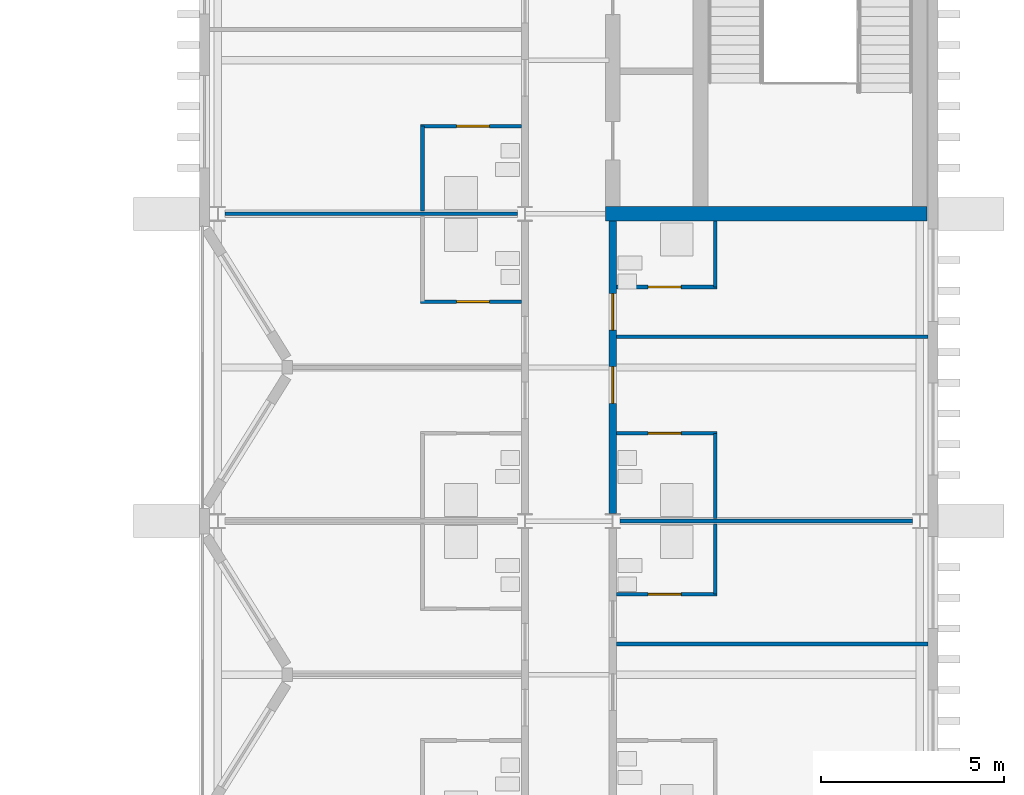
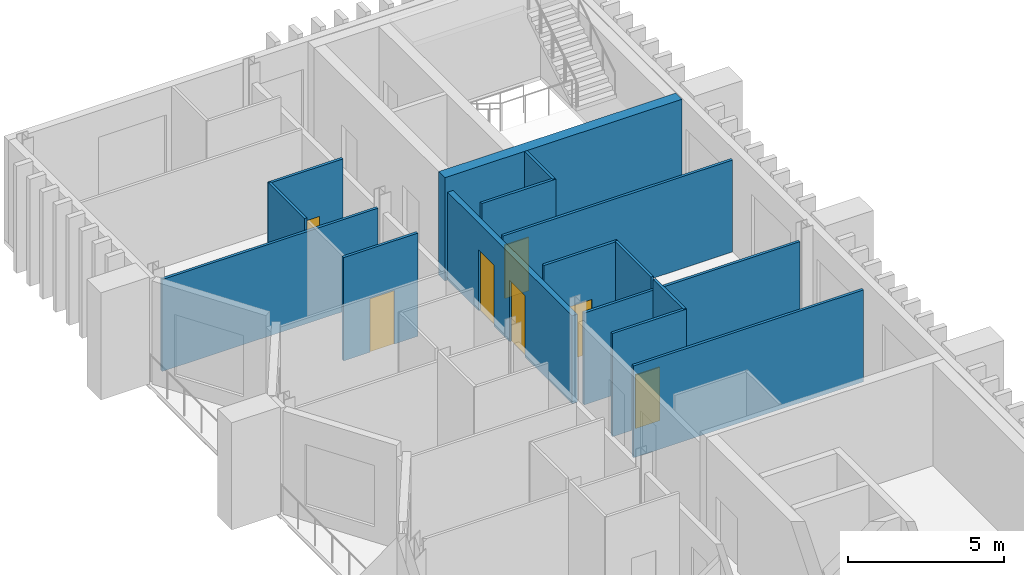
# One storey, part 14 of 21: 15 walls, 7 doors, 7 openings.
"""IFC4 building model written with IfcOpenShell, lengths in metres."""

from ifc_helpers import new_model, si_unit, direction, frame, frame_2d, origin, place, context, subcontext, project, spatial, rectangle, extrude, material, layer, layer_set, type_object, element, fill, save


model = new_model("IFC4")

# Units and contexts
model_context = context("Model", 3, precision=1e-05, world=origin(), true_north=direction((0.0, 1.0)))
body_context = subcontext(model_context, "Body", "Model", "MODEL_VIEW")
ifc_project = project(units=[si_unit("LENGTHUNIT", "METRE"), si_unit("AREAUNIT", "SQUARE_METRE"), si_unit("VOLUMEUNIT", "CUBIC_METRE"), si_unit("PLANEANGLEUNIT", "RADIAN"), si_unit("MASSUNIT", "GRAM", prefix="KILO")], contexts=[model_context])

# Site, building, storey
site_placement = place(None, origin())
site = spatial("IfcSite", under=ifc_project, at=site_placement, CompositionType="ELEMENT")
building_placement = place(site_placement, origin())
building = spatial("IfcBuilding", under=site, at=building_placement, Name="Cresset Court Congress Hotel", CompositionType="ELEMENT")
storey_placement = place(building_placement, frame((0.0, 0.0, 22.800048828125)))
storey = spatial("IfcBuildingStorey", under=building, at=storey_placement, Name="L05", CompositionType="ELEMENT", Elevation=22.800048828125)

# Wall, openings, doors
ifc_material_1 = material(Name="Gypsum board partition")
ifc_layer_1 = layer(ifc_material_1, 0.199951171875)
ifc_layer_set_1 = layer_set([ifc_layer_1], Name="Corridor wall 200")
wall_type_1 = type_object("IfcWallType", Name="Corridor wall 200", PredefinedType="PARTITIONING", material=ifc_layer_set_1)
wall_1_placement = place(storey_placement, frame((168.0, 50.60009765625, 0.0), z_axis=(0.0, 0.0, 1.0), x_axis=(0.0, 1.0, 0.0)))
wall_1 = element("IfcWall", 1, at=wall_1_placement, inside=storey, type_object=wall_type_1, Name="A.wl.L05.081", PredefinedType="PARTITIONING", context=body_context, shape_type="SweptSolid", body=[
    extrude(rectangle(XDim=8.0, YDim=0.199951171875, at=frame_2d((4.0, 0.0))), origin(), (0.0, 0.0, 1.0), 3.449951171875),
])
opening_1_placement = place(wall_1_placement, frame((3.02001953125, 0.0, 0.0)))
opening_1 = element("IfcOpeningElement", 2, at=opening_1_placement, cuts=wall_1, Name="Opening DA-05-46", PredefinedType="OPENING", context=body_context, shape_type="SweptSolid", body=[
    extrude(rectangle(XDim=1.0, YDim=2.39990234375, at=frame_2d((0.5, 1.199951171875))), frame((0.0, 0.10986328125, 0.0), z_axis=(0.0, -1.0, 0.0), x_axis=(1.0, 0.0, 0.0)), (0.0, 0.0, 1.0), 0.219970703125),
])
opening_2_placement = place(wall_1_placement, frame((5.02001953125, 0.0, 0.0)))
opening_2 = element("IfcOpeningElement", 3, at=opening_2_placement, cuts=wall_1, Name="Opening DA-05-48", PredefinedType="OPENING", context=body_context, shape_type="SweptSolid", body=[
    extrude(rectangle(XDim=1.0, YDim=2.39990234375, at=frame_2d((0.5, 1.199951171875))), frame((0.0, 0.10986328125, 0.0), z_axis=(0.0, -1.0, 0.0), x_axis=(1.0, 0.0, 0.0)), (0.0, 0.0, 1.0), 0.219970703125),
])
ifc_material_2 = material(Name="timber", Category="wood")
door_type_1 = type_object("IfcDoorType", Name="Guest-room entry door 1000x2400 FD30S", OperationType="SINGLE_SWING_LEFT", PredefinedType="DOOR", material=ifc_material_2)
door_1_placement = place(opening_1_placement, origin())
door_1 = element("IfcDoor", 4, at=door_1_placement, inside=storey, type_object=door_type_1, Name="Door DA-05-46", OperationType="SINGLE_SWING_RIGHT", OverallHeight=2.39990234375, OverallWidth=1.0, PredefinedType="DOOR", context=body_context, shape_type="SweptSolid", body=[
    extrude(rectangle(XDim=1.0, YDim=2.39990234375, at=frame_2d((0.5, 1.199951171875))), frame((0.0, 0.02490234375, 0.0), z_axis=(0.0, -1.0, 0.0), x_axis=(1.0, 0.0, 0.0)), (0.0, 0.0, 1.0), 0.050048828125),
])
fill(opening_1, door_1)
door_2_placement = place(opening_2_placement, origin())
door_2 = element("IfcDoor", 5, at=door_2_placement, inside=storey, type_object=door_type_1, Name="Door DA-05-48", OperationType="SINGLE_SWING_LEFT", OverallHeight=2.39990234375, OverallWidth=1.0, PredefinedType="DOOR", context=body_context, shape_type="SweptSolid", body=[
    extrude(rectangle(XDim=1.0, YDim=2.39990234375, at=frame_2d((0.5, 1.199951171875))), frame((0.0, 0.02490234375, 0.0), z_axis=(0.0, -1.0, 0.0), x_axis=(1.0, 0.0, 0.0)), (0.0, 0.0, 1.0), 0.050048828125),
])
fill(opening_2, door_2)

# Wall, opening, door
ifc_material_3 = material(Name="Gypsum board partition")
ifc_layer_2 = layer(ifc_material_3, 0.10009765625)
ifc_layer_set_2 = layer_set([ifc_layer_2], Name="En-suite wall 100")
wall_type_2 = type_object("IfcWallType", Name="En-suite wall 100", PredefinedType="PARTITIONING", material=ifc_layer_set_2)
wall_2_placement = place(storey_placement, frame((162.75, 56.39990234375, 0.0), z_axis=(0.0, 0.0, 1.0), x_axis=(1.0, 0.0, 0.0)))
wall_2 = element("IfcWall", 6, at=wall_2_placement, inside=storey, type_object=wall_type_2, Name="A.wl.L05.028", PredefinedType="PARTITIONING", context=body_context, shape_type="SweptSolid", body=[
    extrude(rectangle(XDim=2.75, YDim=0.10009765625, at=frame_2d((1.375, 0.0))), origin(), (0.0, 0.0, 1.0), 4.050048828125),
])
opening_3_placement = place(wall_2_placement, frame((0.97998046875, 0.0, 0.0)))
opening_3 = element("IfcOpeningElement", 7, at=opening_3_placement, cuts=wall_2, Name="Opening DA-05-27", PredefinedType="OPENING", context=body_context, shape_type="SweptSolid", body=[
    extrude(rectangle(XDim=0.89990234375, YDim=2.10009765625, at=frame_2d((0.449951171875, 1.050048828125))), frame((0.0, 0.06005859375, 0.0), z_axis=(0.0, -1.0, 0.0), x_axis=(1.0, 0.0, 0.0)), (0.0, 0.0, 1.0), 0.1201171875),
])
ifc_material_4 = material(Name="timber", Category="wood")
door_type_2 = type_object("IfcDoorType", Name="En-suite door 900x2100", OperationType="SINGLE_SWING_LEFT", PredefinedType="DOOR", material=ifc_material_4)
door_3_placement = place(opening_3_placement, origin())
door_3 = element("IfcDoor", 8, at=door_3_placement, inside=storey, type_object=door_type_2, Name="Door DA-05-27", OperationType="SINGLE_SWING_LEFT", OverallHeight=2.10009765625, OverallWidth=0.89990234375, PredefinedType="DOOR", context=body_context, shape_type="SweptSolid", body=[
    extrude(rectangle(XDim=0.89990234375, YDim=2.10009765625, at=frame_2d((0.449951171875, 1.050048828125))), frame((0.0, 0.02490234375, 0.0), z_axis=(0.0, -1.0, 0.0), x_axis=(1.0, 0.0, 0.0)), (0.0, 0.0, 1.0), 0.050048828125),
])
fill(opening_3, door_3)

# Wall
wall_3_placement = place(storey_placement, frame((162.800048828125, 58.875, 0.0), z_axis=(0.0, 0.0, 1.0), x_axis=(0.0, 1.0, 0.0)))
element("IfcWall", 9, at=wall_3_placement, inside=storey, type_object=wall_type_2, Name="A.wl.L05.029", PredefinedType="PARTITIONING", context=body_context, shape_type="SweptSolid", body=[
    extrude(rectangle(XDim=2.324951171875, YDim=0.10009765625, at=frame_2d((1.16259765625, 0.0))), origin(), (0.0, 0.0, 1.0), 4.050048828125),
])

# Wall, opening, door
wall_4_placement = place(storey_placement, frame((162.75, 61.199951171875, 0.0), z_axis=(0.0, 0.0, 1.0), x_axis=(1.0, 0.0, 0.0)))
wall_4 = element("IfcWall", 10, at=wall_4_placement, inside=storey, type_object=wall_type_2, Name="A.wl.L05.030", PredefinedType="PARTITIONING", context=body_context, shape_type="SweptSolid", body=[
    extrude(rectangle(XDim=2.75, YDim=0.10009765625, at=frame_2d((1.375, 0.0))), origin(), (0.0, 0.0, 1.0), 4.050048828125),
])
opening_4_placement = place(wall_4_placement, frame((0.97998046875, 0.0, 0.0)))
opening_4 = element("IfcOpeningElement", 11, at=opening_4_placement, cuts=wall_4, Name="Opening DA-05-29", PredefinedType="OPENING", context=body_context, shape_type="SweptSolid", body=[
    extrude(rectangle(XDim=0.89990234375, YDim=2.10009765625, at=frame_2d((0.449951171875, 1.050048828125))), frame((0.0, 0.06005859375, 0.0), z_axis=(0.0, -1.0, 0.0), x_axis=(1.0, 0.0, 0.0)), (0.0, 0.0, 1.0), 0.1201171875),
])
door_4_placement = place(opening_4_placement, origin())
door_4 = element("IfcDoor", 12, at=door_4_placement, inside=storey, type_object=door_type_2, Name="Door DA-05-29", OperationType="SINGLE_SWING_RIGHT", OverallHeight=2.10009765625, OverallWidth=0.89990234375, PredefinedType="DOOR", context=body_context, shape_type="SweptSolid", body=[
    extrude(rectangle(XDim=0.89990234375, YDim=2.10009765625, at=frame_2d((0.449951171875, 1.050048828125))), frame((0.0, 0.02490234375, 0.0), z_axis=(0.0, -1.0, 0.0), x_axis=(1.0, 0.0, 0.0)), (0.0, 0.0, 1.0), 0.050048828125),
])
fill(opening_4, door_4)

# Wall
wall_5_placement = place(storey_placement, frame((170.800048828125, 48.39990234375, 0.0), z_axis=(0.0, 0.0, 1.0), x_axis=(0.0, 1.0, 0.0)))
element("IfcWall", 13, at=wall_5_placement, inside=storey, type_object=wall_type_2, Name="A.wl.L05.043", PredefinedType="PARTITIONING", context=body_context, shape_type="SweptSolid", body=[
    extrude(rectangle(XDim=1.925048828125, YDim=0.10009765625, at=frame_2d((0.96240234375, 0.0))), origin(), (0.0, 0.0, 1.0), 4.050048828125),
])

# Wall, opening, door
wall_6_placement = place(storey_placement, frame((170.85009765625, 48.39990234375, 0.0), z_axis=(0.0, 0.0, 1.0), x_axis=(-1.0, 0.0, 0.0)))
wall_6 = element("IfcWall", 14, at=wall_6_placement, inside=storey, type_object=wall_type_2, Name="A.wl.L05.044", PredefinedType="PARTITIONING", context=body_context, shape_type="SweptSolid", body=[
    extrude(rectangle(XDim=2.75, YDim=0.10009765625, at=frame_2d((1.375, 0.0))), origin(), (0.0, 0.0, 1.0), 4.050048828125),
])
opening_5_placement = place(wall_6_placement, frame((0.97998046875, 0.0, 0.0)))
opening_5 = element("IfcOpeningElement", 15, at=opening_5_placement, cuts=wall_6, Name="Opening DA-05-43", PredefinedType="OPENING", context=body_context, shape_type="SweptSolid", body=[
    extrude(rectangle(XDim=0.89990234375, YDim=2.10009765625, at=frame_2d((0.449951171875, 1.050048828125))), frame((0.0, 0.06005859375, 0.0), z_axis=(0.0, -1.0, 0.0), x_axis=(1.0, 0.0, 0.0)), (0.0, 0.0, 1.0), 0.1201171875),
])
door_5_placement = place(opening_5_placement, origin())
door_5 = element("IfcDoor", 16, at=door_5_placement, inside=storey, type_object=door_type_2, Name="Door DA-05-43", OperationType="SINGLE_SWING_LEFT", OverallHeight=2.10009765625, OverallWidth=0.89990234375, PredefinedType="DOOR", context=body_context, shape_type="SweptSolid", body=[
    extrude(rectangle(XDim=0.89990234375, YDim=2.10009765625, at=frame_2d((0.449951171875, 1.050048828125))), frame((0.0, 0.02490234375, 0.0), z_axis=(0.0, -1.0, 0.0), x_axis=(1.0, 0.0, 0.0)), (0.0, 0.0, 1.0), 0.050048828125),
])
fill(opening_5, door_5)

# Wall
wall_7_placement = place(storey_placement, frame((170.800048828125, 50.47509765625, 0.0), z_axis=(0.0, 0.0, 1.0), x_axis=(0.0, 1.0, 0.0)))
element("IfcWall", 17, at=wall_7_placement, inside=storey, type_object=wall_type_2, Name="A.wl.L05.045", PredefinedType="PARTITIONING", context=body_context, shape_type="SweptSolid", body=[
    extrude(rectangle(XDim=2.324951171875, YDim=0.10009765625, at=frame_2d((1.16259765625, 0.0))), origin(), (0.0, 0.0, 1.0), 4.050048828125),
])

# Wall, opening, door
wall_8_placement = place(storey_placement, frame((170.85009765625, 52.800048828125, 0.0), z_axis=(0.0, 0.0, 1.0), x_axis=(-1.0, 0.0, 0.0)))
wall_8 = element("IfcWall", 18, at=wall_8_placement, inside=storey, type_object=wall_type_2, Name="A.wl.L05.046", PredefinedType="PARTITIONING", context=body_context, shape_type="SweptSolid", body=[
    extrude(rectangle(XDim=2.75, YDim=0.10009765625, at=frame_2d((1.375, 0.0))), origin(), (0.0, 0.0, 1.0), 4.050048828125),
])
opening_6_placement = place(wall_8_placement, frame((0.97998046875, 0.0, 0.0)))
opening_6 = element("IfcOpeningElement", 19, at=opening_6_placement, cuts=wall_8, Name="Opening DA-05-45", PredefinedType="OPENING", context=body_context, shape_type="SweptSolid", body=[
    extrude(rectangle(XDim=0.89990234375, YDim=2.10009765625, at=frame_2d((0.449951171875, 1.050048828125))), frame((0.0, 0.06005859375, 0.0), z_axis=(0.0, -1.0, 0.0), x_axis=(1.0, 0.0, 0.0)), (0.0, 0.0, 1.0), 0.1201171875),
])
door_6_placement = place(opening_6_placement, origin())
door_6 = element("IfcDoor", 20, at=door_6_placement, inside=storey, type_object=door_type_2, Name="Door DA-05-45", OperationType="SINGLE_SWING_RIGHT", OverallHeight=2.10009765625, OverallWidth=0.89990234375, PredefinedType="DOOR", context=body_context, shape_type="SweptSolid", body=[
    extrude(rectangle(XDim=0.89990234375, YDim=2.10009765625, at=frame_2d((0.449951171875, 1.050048828125))), frame((0.0, 0.02490234375, 0.0), z_axis=(0.0, -1.0, 0.0), x_axis=(1.0, 0.0, 0.0)), (0.0, 0.0, 1.0), 0.050048828125),
])
fill(opening_6, door_6)

# Wall
wall_9_placement = place(storey_placement, frame((170.800048828125, 56.800048828125, 0.0), z_axis=(0.0, 0.0, 1.0), x_axis=(0.0, 1.0, 0.0)))
element("IfcWall", 21, at=wall_9_placement, inside=storey, type_object=wall_type_2, Name="A.wl.L05.047", PredefinedType="PARTITIONING", context=body_context, shape_type="SweptSolid", body=[
    extrude(rectangle(XDim=1.800048828125, YDim=0.10009765625, at=frame_2d((0.89990234375, 0.0))), origin(), (0.0, 0.0, 1.0), 4.050048828125),
])

# Wall, opening, door
wall_10_placement = place(storey_placement, frame((170.85009765625, 56.800048828125, 0.0), z_axis=(0.0, 0.0, 1.0), x_axis=(-1.0, 0.0, 0.0)))
wall_10 = element("IfcWall", 22, at=wall_10_placement, inside=storey, type_object=wall_type_2, Name="A.wl.L05.048", PredefinedType="PARTITIONING", context=body_context, shape_type="SweptSolid", body=[
    extrude(rectangle(XDim=2.75, YDim=0.10009765625, at=frame_2d((1.375, 0.0))), origin(), (0.0, 0.0, 1.0), 4.050048828125),
])
opening_7_placement = place(wall_10_placement, frame((0.97998046875, 0.0, 0.0)))
opening_7 = element("IfcOpeningElement", 23, at=opening_7_placement, cuts=wall_10, Name="Opening DA-05-47", PredefinedType="OPENING", context=body_context, shape_type="SweptSolid", body=[
    extrude(rectangle(XDim=0.89990234375, YDim=2.10009765625, at=frame_2d((0.449951171875, 1.050048828125))), frame((0.0, 0.06005859375, 0.0), z_axis=(0.0, -1.0, 0.0), x_axis=(1.0, 0.0, 0.0)), (0.0, 0.0, 1.0), 0.1201171875),
])
door_7_placement = place(opening_7_placement, origin())
door_7 = element("IfcDoor", 24, at=door_7_placement, inside=storey, type_object=door_type_2, Name="Door DA-05-47", OperationType="SINGLE_SWING_LEFT", OverallHeight=2.10009765625, OverallWidth=0.89990234375, PredefinedType="DOOR", context=body_context, shape_type="SweptSolid", body=[
    extrude(rectangle(XDim=0.89990234375, YDim=2.10009765625, at=frame_2d((0.449951171875, 1.050048828125))), frame((0.0, 0.02490234375, 0.0), z_axis=(0.0, -1.0, 0.0), x_axis=(1.0, 0.0, 0.0)), (0.0, 0.0, 1.0), 0.050048828125),
])
fill(opening_7, door_7)

# Walls
ifc_material_5 = material(Name="Gypsum board partition")
ifc_layer_3 = layer(ifc_material_5, 0.10009765625)
ifc_layer_set_3 = layer_set([ifc_layer_3], Name="Guest-room partition 100")
wall_type_3 = type_object("IfcWallType", Name="Guest-room partition 100", PredefinedType="PARTITIONING", material=ifc_layer_set_3)
for number, where, z_axis, x_axis, name in (
    (25, (157.39990234375, 58.800048828125, 0.0), (0.0, 0.0, 1.0), (1.0, 0.0, 0.0), "A.wl.L05.055"),
    (26, (168.199951171875, 50.39990234375, 0.0), (0.0, 0.0, 1.0), (1.0, 0.0, 0.0), "A.wl.L05.057"),
):
    element("IfcWall", number, at=place(storey_placement, frame(where, z_axis=z_axis, x_axis=x_axis)), inside=storey, type_object=wall_type_3, Name=name, PredefinedType="PARTITIONING", context=body_context, shape_type="SweptSolid", body=[
        extrude(rectangle(XDim=8.0, YDim=0.10009765625, at=frame_2d((4.0, 0.0))), origin(), (0.0, 0.0, 1.0), 3.60400390625),
    ])
for number, where, z_axis, x_axis, name in (
    (27, (168.10009765625, 47.0400390625, 0.0), (0.0, 0.0, 1.0), (1.0, 0.0, 0.0), "A.wl.L05.068"),
    (28, (168.10009765625, 55.43994140625, 0.0), (0.0, 0.0, 1.0), (1.0, 0.0, 0.0), "A.wl.L05.069"),
):
    element("IfcWall", number, at=place(storey_placement, frame(where, z_axis=z_axis, x_axis=x_axis)), inside=storey, type_object=wall_type_3, Name=name, PredefinedType="PARTITIONING", context=body_context, shape_type="SweptSolid", body=[
        extrude(rectangle(XDim=8.52001953125, YDim=0.10009765625, at=frame_2d((4.260009765625, 0.0))), origin(), (0.0, 0.0, 1.0), 3.60400390625),
    ])
ifc_material_6 = material(Name="Concrete C50", Category="concrete")
ifc_layer_4 = layer(ifc_material_6, 0.39990234375)
ifc_layer_set_4 = layer_set([ifc_layer_4], Name="Stair core wall 400")
wall_type_4 = type_object("IfcWallType", Name="Stair core wall 400", PredefinedType="SOLIDWALL", material=ifc_layer_set_4)
wall_11_placement = place(storey_placement, frame((167.800048828125, 58.800048828125, 0.0), z_axis=(0.0, 0.0, 1.0), x_axis=(1.0, 0.0, 0.0)))
element("IfcWall", 29, at=wall_11_placement, inside=storey, type_object=wall_type_4, Name="A.cw.ST-A2.L05.S", PredefinedType="SOLIDWALL", context=body_context, shape_type="SweptSolid", body=[
    extrude(rectangle(XDim=8.800048828125, YDim=0.39990234375, at=frame_2d((4.39990234375, 0.0))), origin(), (0.0, 0.0, 1.0), 4.050048828125),
])

save(model, "model.ifc")
